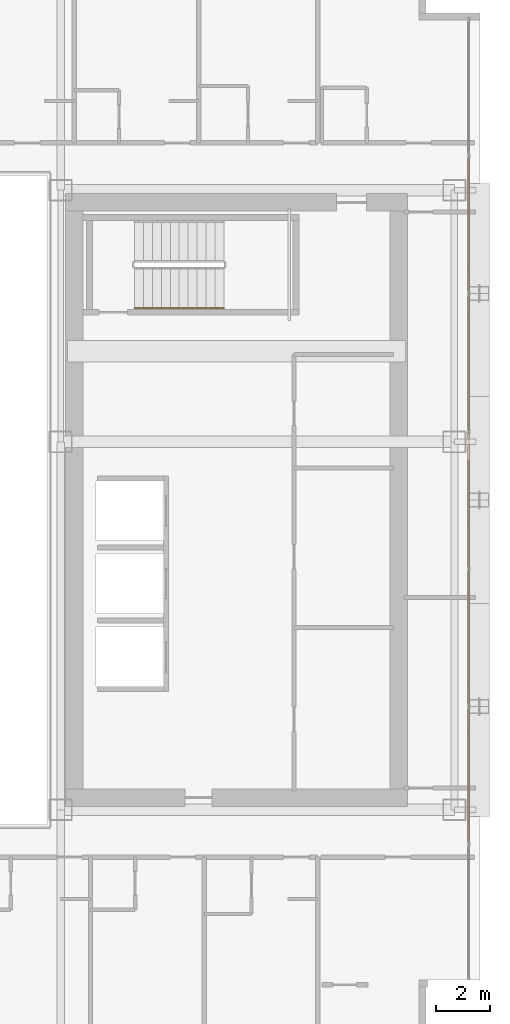
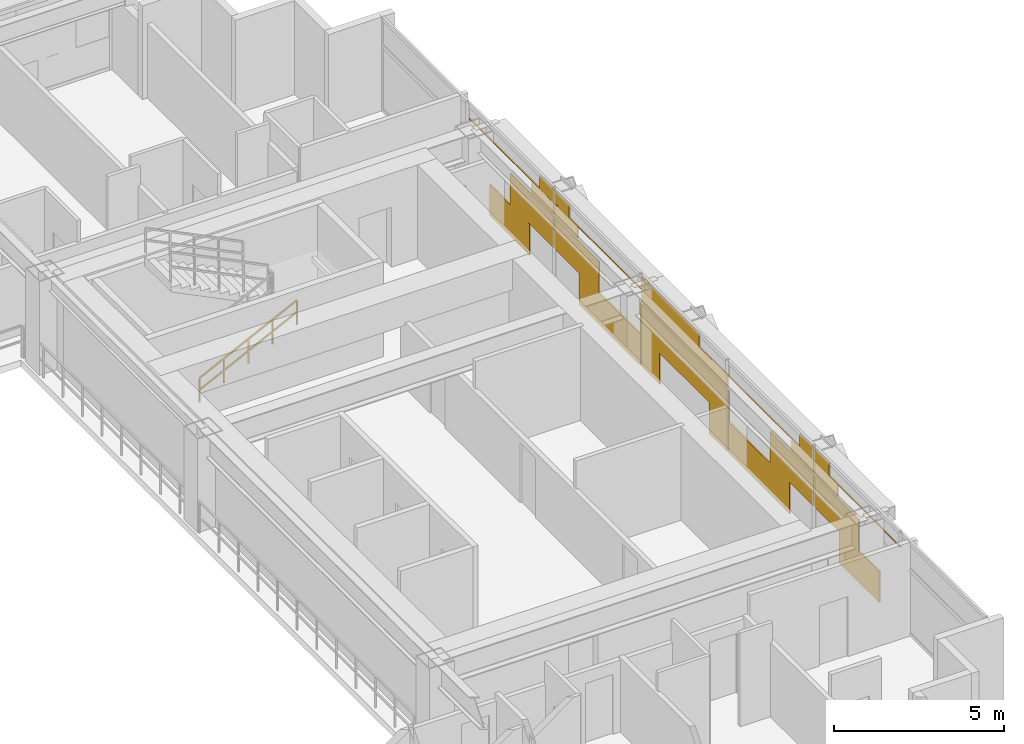
# One storey, part 35 of 36: 1 covering, 1 railing.
"""IFC4 building model written with IfcOpenShell, lengths in metres."""

from ifc_helpers import new_model, si_unit, direction, frame, origin, origin_2d, place, context, subcontext, project, spatial, rectangle, extrude, material, layer, layer_set, type_object, element, save


model = new_model("IFC4")

# Units and contexts
model_context = context("Model", 3, precision=1e-05, world=origin(), true_north=direction((0.0, 1.0)))
body_context = subcontext(model_context, "Body", "Model", "MODEL_VIEW")
ifc_project = project(units=[si_unit("LENGTHUNIT", "METRE"), si_unit("AREAUNIT", "SQUARE_METRE"), si_unit("VOLUMEUNIT", "CUBIC_METRE"), si_unit("PLANEANGLEUNIT", "RADIAN"), si_unit("MASSUNIT", "GRAM", prefix="KILO")], contexts=[model_context])

# Site, building, storey
site_placement = place(None, origin())
site = spatial("IfcSite", under=ifc_project, at=site_placement, CompositionType="ELEMENT")
building_placement = place(site_placement, origin())
building = spatial("IfcBuilding", under=site, at=building_placement, Name="Ocotamira Hotel", CompositionType="ELEMENT")
storey_placement = place(building_placement, frame((0.0, 0.0, 97.199951171875)))
storey = spatial("IfcBuildingStorey", under=building, at=storey_placement, Name="L23", CompositionType="ELEMENT", Elevation=97.199951171875)

# Covering
ifc_material_1 = material(Name="Insulated pale-metal aluminium spandrel panel", Category="aluminium")
ifc_layer = layer(ifc_material_1, 0.044921875)
ifc_layer_set = layer_set([ifc_layer], Name="Insulated pale-metal aluminium spandrel panel")
covering_type = type_object("IfcCoveringType", Name="COV-INFILL-45", PredefinedType="CLADDING", material=ifc_layer_set)
covering_placement = place(storey_placement, origin())
element("IfcCovering", 1, at=covering_placement, inside=storey, type_object=covering_type, Name="L23 Curtain Wall Infill CW-3 CW-L23-E", PredefinedType="CLADDING", context=body_context, shape_type="SweptSolid", body=[
    extrude(rectangle(XDim=2.35107421875, YDim=0.044921875, at=origin_2d()), frame((55.580078125, 15.741943359375, 0.07568359375), z_axis=(0.0, 0.0, 1.0), x_axis=(0.0, 1.0, 0.0)), (0.0, 0.0, 1.0), 1.11767578125),
    extrude(rectangle(XDim=2.578369140625, YDim=0.044921875, at=origin_2d()), frame((55.580078125, 17.041748046875, 1.1943359375), z_axis=(0.0, 0.0, 1.0), x_axis=(0.0, 1.0, 0.0)), (0.0, 0.0, 1.0), 1.117919921875),
    extrude(rectangle(XDim=5.004638671875, YDim=0.044921875, at=origin_2d()), frame((55.580078125, 15.82861328125, 2.802490234375), z_axis=(0.0, 0.0, 1.0), x_axis=(0.0, 1.0, 0.0)), (0.0, 0.0, 1.0), 0.033203125),
    extrude(rectangle(XDim=1.312744140625, YDim=0.044921875, at=origin_2d()), frame((55.580078125, 17.674560546875, 2.38818359375), z_axis=(0.0, 0.0, 1.0), x_axis=(0.0, 1.0, 0.0)), (0.0, 0.0, 1.0), 0.413330078125),
    extrude(rectangle(XDim=0.837158203125, YDim=0.044921875, at=origin_2d()), frame((55.580078125, 17.912353515625, 2.836669921875), z_axis=(0.0, 0.0, 1.0), x_axis=(0.0, 1.0, 0.0)), (0.0, 0.0, 1.0), 0.44775390625),
    extrude(rectangle(XDim=2.568603515625, YDim=0.044921875, at=origin_2d()), frame((55.580078125, 19.6962890625, 1.1943359375), z_axis=(0.0, 0.0, 1.0), x_axis=(0.0, 1.0, 0.0)), (0.0, 0.0, 1.0), 1.117919921875),
    extrude(rectangle(XDim=3.600830078125, YDim=0.044921875, at=origin_2d()), frame((55.580078125, 21.6162109375, 0.07568359375), z_axis=(0.0, 0.0, 1.0), x_axis=(0.0, 1.0, 0.0)), (0.0, 0.0, 1.0), 1.11767578125),
    extrude(rectangle(XDim=0.03076171875, YDim=0.044921875, at=origin_2d()), frame((55.580078125, 23.4013671875, 1.1943359375), z_axis=(0.0, 0.0, 1.0), x_axis=(0.0, 1.0, 0.0)), (0.0, 0.0, 1.0), 1.117919921875),
    extrude(rectangle(XDim=1.302978515625, YDim=0.044921875, at=origin_2d()), frame((55.580078125, 19.0634765625, 2.38818359375), z_axis=(0.0, 0.0, 1.0), x_axis=(0.0, 1.0, 0.0)), (0.0, 0.0, 1.0), 0.413330078125),
    extrude(rectangle(XDim=5.004638671875, YDim=0.044921875, at=origin_2d()), frame((55.580078125, 20.914306640625, 2.802490234375), z_axis=(0.0, 0.0, 1.0), x_axis=(0.0, 1.0, 0.0)), (0.0, 0.0, 1.0), 0.033203125),
    extrude(rectangle(XDim=0.827392578125, YDim=0.044921875, at=origin_2d()), frame((55.580078125, 18.82568359375, 2.836669921875), z_axis=(0.0, 0.0, 1.0), x_axis=(0.0, 1.0, 0.0)), (0.0, 0.0, 1.0), 0.44775390625),
    extrude(rectangle(XDim=1.05322265625, YDim=0.044921875, at=origin_2d()), frame((55.580078125, 24.0244140625, 0.07568359375), z_axis=(0.0, 0.0, 1.0), x_axis=(0.0, 1.0, 0.0)), (0.0, 0.0, 1.0), 1.11767578125),
    extrude(rectangle(XDim=5.004638671875, YDim=0.044921875, at=origin_2d()), frame((55.580078125, 26.0, 1.1943359375), z_axis=(0.0, 0.0, 1.0), x_axis=(0.0, 1.0, 0.0)), (0.0, 0.0, 1.0), 1.117919921875),
    extrude(rectangle(XDim=1.05322265625, YDim=0.044921875, at=origin_2d()), frame((55.580078125, 27.9755859375, 0.07568359375), z_axis=(0.0, 0.0, 1.0), x_axis=(0.0, 1.0, 0.0)), (0.0, 0.0, 1.0), 1.11767578125),
    extrude(rectangle(XDim=5.004638671875, YDim=0.044921875, at=origin_2d()), frame((55.580078125, 26.0, 2.387939453125), z_axis=(0.0, 0.0, 1.0), x_axis=(0.0, 1.0, 0.0)), (0.0, 0.0, 1.0), 0.44775390625),
    extrude(rectangle(XDim=3.375, YDim=0.044921875, at=origin_2d()), frame((55.580078125, 26.814697265625, 2.836669921875), z_axis=(0.0, 0.0, 1.0), x_axis=(0.0, 1.0, 0.0)), (0.0, 0.0, 1.0), 0.44775390625),
    extrude(rectangle(XDim=3.600830078125, YDim=0.044921875, at=origin_2d()), frame((55.580078125, 30.3837890625, 0.07568359375), z_axis=(0.0, 0.0, 1.0), x_axis=(0.0, 1.0, 0.0)), (0.0, 0.0, 1.0), 1.11767578125),
    extrude(rectangle(XDim=0.03076171875, YDim=0.044921875, at=origin_2d()), frame((55.580078125, 28.5986328125, 1.1943359375), z_axis=(0.0, 0.0, 1.0), x_axis=(0.0, 1.0, 0.0)), (0.0, 0.0, 1.0), 1.117919921875),
    extrude(rectangle(XDim=2.568603515625, YDim=0.044921875, at=origin_2d()), frame((55.580078125, 32.3037109375, 1.1943359375), z_axis=(0.0, 0.0, 1.0), x_axis=(0.0, 1.0, 0.0)), (0.0, 0.0, 1.0), 1.117919921875),
    extrude(rectangle(XDim=5.004638671875, YDim=0.044921875, at=origin_2d()), frame((55.580078125, 31.085693359375, 2.802490234375), z_axis=(0.0, 0.0, 1.0), x_axis=(0.0, 1.0, 0.0)), (0.0, 0.0, 1.0), 0.033203125),
    extrude(rectangle(XDim=1.302978515625, YDim=0.044921875, at=origin_2d()), frame((55.580078125, 32.9365234375, 2.38818359375), z_axis=(0.0, 0.0, 1.0), x_axis=(0.0, 1.0, 0.0)), (0.0, 0.0, 1.0), 0.413330078125),
    extrude(rectangle(XDim=0.827392578125, YDim=0.044921875, at=origin_2d()), frame((55.580078125, 33.17431640625, 2.836669921875), z_axis=(0.0, 0.0, 1.0), x_axis=(0.0, 1.0, 0.0)), (0.0, 0.0, 1.0), 0.44775390625),
    extrude(rectangle(XDim=2.578369140625, YDim=0.044921875, at=origin_2d()), frame((55.580078125, 34.958251953125, 1.1943359375), z_axis=(0.0, 0.0, 1.0), x_axis=(0.0, 1.0, 0.0)), (0.0, 0.0, 1.0), 1.117919921875),
    extrude(rectangle(XDim=2.35107421875, YDim=0.044921875, at=origin_2d()), frame((55.580078125, 36.258056640625, 0.07568359375), z_axis=(0.0, 0.0, 1.0), x_axis=(0.0, 1.0, 0.0)), (0.0, 0.0, 1.0), 1.11767578125),
    extrude(rectangle(XDim=1.312744140625, YDim=0.044921875, at=origin_2d()), frame((55.580078125, 34.325439453125, 2.38818359375), z_axis=(0.0, 0.0, 1.0), x_axis=(0.0, 1.0, 0.0)), (0.0, 0.0, 1.0), 0.413330078125),
    extrude(rectangle(XDim=5.004638671875, YDim=0.044921875, at=origin_2d()), frame((55.580078125, 36.17138671875, 2.802490234375), z_axis=(0.0, 0.0, 1.0), x_axis=(0.0, 1.0, 0.0)), (0.0, 0.0, 1.0), 0.033203125),
    extrude(rectangle(XDim=0.837158203125, YDim=0.044921875, at=origin_2d()), frame((55.580078125, 34.087646484375, 2.836669921875), z_axis=(0.0, 0.0, 1.0), x_axis=(0.0, 1.0, 0.0)), (0.0, 0.0, 1.0), 0.44775390625),
])

# Railing
ifc_material_2 = material(Name="Brushed stainless steel handrail", Category="steel")
railing_type = type_object("IfcRailingType", Name="RL-HAND-900", PredefinedType="HANDRAIL", material=ifc_material_2)
railing_placement = place(storey_placement, frame((43.22998046875, 33.10009765625, 0.327392578125)))
element("IfcRailing", 2, at=railing_placement, inside=storey, type_object=railing_type, Name="L23 ST-4 stair handrail 1", PredefinedType="HANDRAIL", context=body_context, shape_type="SweptSolid", body=[
    extrude(rectangle(XDim=0.048095703125, YDim=0.048095703125, at=origin_2d()), frame((0.0, 0.0, 0.8759765625), z_axis=(0.895920123917, 0.0, 0.444215186098), x_axis=(0.0, 1.0, 0.0)), (0.0, 0.0, 1.0), 3.683349609375),
    extrude(rectangle(XDim=0.048095703125, YDim=0.048095703125, at=origin_2d()), frame((0.0, 0.0, 0.449951171875), z_axis=(0.895920123917, 0.0, 0.444215186098), x_axis=(0.0, 1.0, 0.0)), (0.0, 0.0, 1.0), 3.683349609375),
    extrude(rectangle(XDim=0.0419921875, YDim=0.0419921875, at=origin_2d()), origin(), (0.0, 0.0, 1.0), 0.851806640625),
    extrude(rectangle(XDim=0.0419921875, YDim=0.0419921875, at=origin_2d()), frame((0.824951171875, 0.0, 0.4091796875)), (0.0, 0.0, 1.0), 0.851806640625),
    extrude(rectangle(XDim=0.0419921875, YDim=0.0419921875, at=origin_2d()), frame((1.64990234375, 0.0, 0.818115234375)), (0.0, 0.0, 1.0), 0.851806640625),
    extrude(rectangle(XDim=0.0419921875, YDim=0.0419921875, at=origin_2d()), frame((2.47509765625, 0.0, 1.22705078125)), (0.0, 0.0, 1.0), 0.851806640625),
    extrude(rectangle(XDim=0.0419921875, YDim=0.0419921875, at=origin_2d()), frame((3.300048828125, 0.0, 1.63623046875)), (0.0, 0.0, 1.0), 0.851806640625),
])

save(model, "model.ifc")
